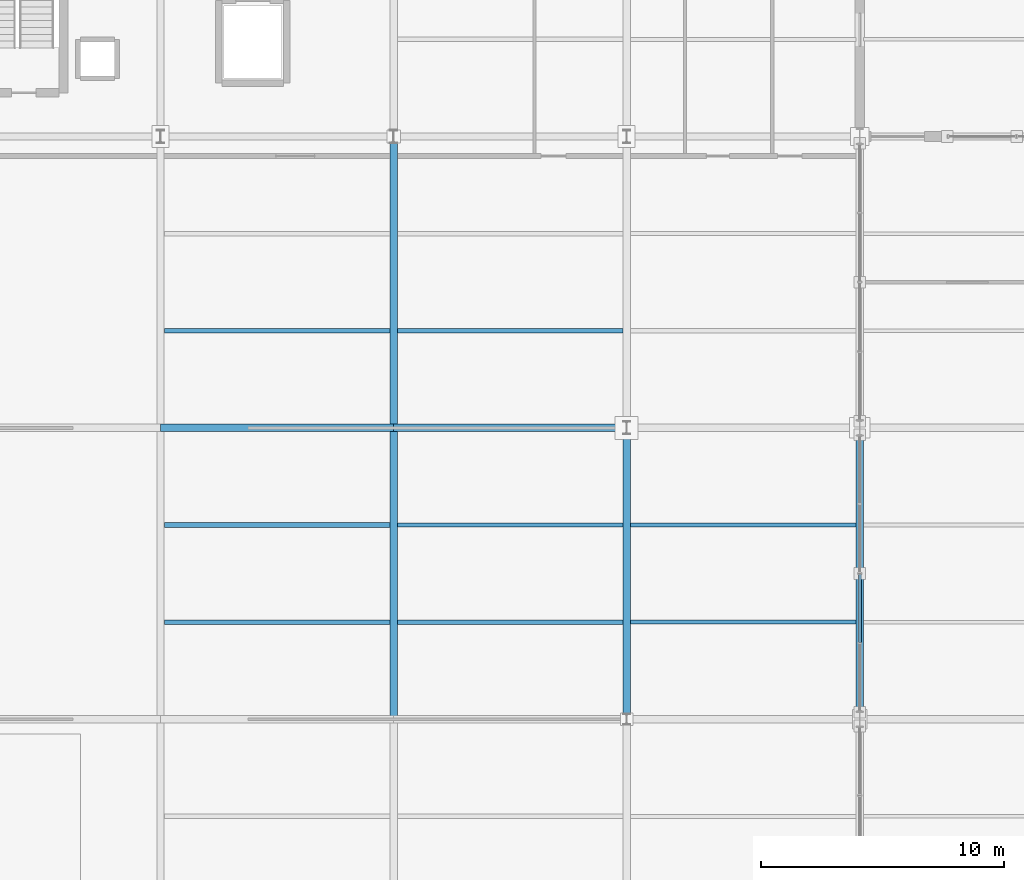
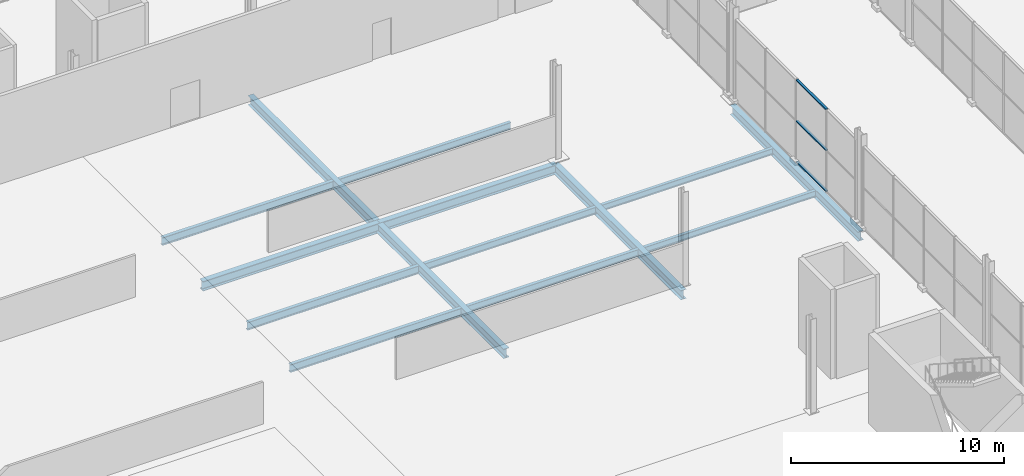
# One storey, part 96 of 196: 14 beams, 3 members, 1 element without a shape of its own.
"""IFC4 building model written with IfcOpenShell, lengths in metres."""

from ifc_helpers import new_model, si_unit, direction, frame, origin, origin_2d, place, context, subcontext, project, spatial, hollow_rectangle, i_section, extrude, material, material_profile, profile_set, type_object, element, aggregate, save


model = new_model("IFC4")

# Units and contexts
model_context = context("Model", 3, precision=1e-05, world=origin(), true_north=direction((0.0, 1.0)))
body_context = subcontext(model_context, "Body", "Model", "MODEL_VIEW")
ifc_project = project(units=[si_unit("LENGTHUNIT", "METRE"), si_unit("AREAUNIT", "SQUARE_METRE"), si_unit("VOLUMEUNIT", "CUBIC_METRE"), si_unit("PLANEANGLEUNIT", "RADIAN"), si_unit("MASSUNIT", "GRAM", prefix="KILO")], contexts=[model_context])

# Site, building, storey
site_placement = place(None, origin())
site = spatial("IfcSite", under=ifc_project, at=site_placement, CompositionType="ELEMENT")
building_placement = place(site_placement, origin())
building = spatial("IfcBuilding", under=site, at=building_placement, Name="Merenkruunu Market Hall", CompositionType="ELEMENT")
storey_placement = place(building_placement, origin())
storey = spatial("IfcBuildingStorey", under=building, at=storey_placement, Name="L00", CompositionType="ELEMENT", Elevation=0.0)

# Curtain wall, members
ifc_material_1 = material(Name="Powder-coated aluminium", Category="aluminium")
curtain_wall_type = type_object("IfcCurtainWallType", Name="Glazed Curtain Wall CW02", PredefinedType="USERDEFINED", material=ifc_material_1)
curtain_wall_placement = place(storey_placement, origin())
curtain_wall = element("IfcCurtainWall", 1, at=curtain_wall_placement, inside=storey, type_object=curtain_wall_type, Name="CW-L00-CWM01-133", ObjectType="GLAZED_FACADE", PredefinedType="USERDEFINED")
ifc_material_profile_1 = material_profile(ifc_material_1, hollow_rectangle(XDim=0.06005859375, YDim=0.125, WallThickness=0.00390625, at=origin_2d()), Name="ALU 60x125x4")
ifc_profile_set_1 = profile_set([ifc_material_profile_1], Name="Powder-coated aluminium")
member_type = type_object("IfcMemberType", Name="Curtain Wall Transom CWT01", PredefinedType="USERDEFINED", material=ifc_profile_set_1)
member_1_placement = place(storey_placement, frame((57.60009765625, 78.77001953125, 0.030029296875), z_axis=(0.0, 1.0, 0.0), x_axis=(0.0, 0.0, 1.0)))
member_1 = element("IfcMember", 2, at=member_1_placement, type_object=member_type, Name="CW02 transom 2.1", ObjectType="TRANSOM", PredefinedType="USERDEFINED", context=body_context, shape_type="SweptSolid", body=[
    extrude(hollow_rectangle(XDim=0.06005859375, YDim=0.125, WallThickness=0.00390625, at=origin_2d()), origin(), (0.0, 0.0, 1.0), 2.800048828125),
])
member_2_placement = place(storey_placement, frame((57.60009765625, 78.77001953125, 2.375), z_axis=(0.0, 1.0, 0.0), x_axis=(0.0, 0.0, 1.0)))
member_2 = element("IfcMember", 3, at=member_2_placement, type_object=member_type, Name="CW02 transom 2.2", ObjectType="TRANSOM", PredefinedType="USERDEFINED", context=body_context, shape_type="SweptSolid", body=[
    extrude(hollow_rectangle(XDim=0.06005859375, YDim=0.125, WallThickness=0.00390625, at=origin_2d()), origin(), (0.0, 0.0, 1.0), 2.800048828125),
])
member_3_placement = place(storey_placement, frame((57.60009765625, 78.77001953125, 4.719970703125), z_axis=(0.0, 1.0, 0.0), x_axis=(0.0, 0.0, 1.0)))
member_3 = element("IfcMember", 4, at=member_3_placement, type_object=member_type, Name="CW02 transom 2.3", ObjectType="TRANSOM", PredefinedType="USERDEFINED", context=body_context, shape_type="SweptSolid", body=[
    extrude(hollow_rectangle(XDim=0.06005859375, YDim=0.125, WallThickness=0.00390625, at=origin_2d()), origin(), (0.0, 0.0, 1.0), 2.800048828125),
])
aggregate(curtain_wall, [member_1, member_2, member_3])

# Beams
ifc_material_2 = material(Name="Steel S355J2", Category="steel")
ifc_material_profile_2 = material_profile(ifc_material_2, i_section(OverallWidth=0.300048828125, OverallDepth=0.550048828125, WebThickness=0.014892578125, FlangeThickness=0.029052734375, FilletRadius=0.027099609375, at=origin_2d()), Name="HEB 550")
ifc_profile_set_2 = profile_set([ifc_material_profile_2], Name="Steel S355J2")
beam_type_1 = type_object("IfcBeamType", Name="Primary Floor Girder B02", PredefinedType="BEAM", material=ifc_profile_set_2)
beam_1_placement = place(storey_placement, frame((28.800048828125, 87.60009765625, -0.614990234375), z_axis=(1.0, 0.0, 0.0), x_axis=(0.0, 1.0, 0.0)))
element("IfcBeam", 5, at=beam_1_placement, inside=storey, type_object=beam_type_1, Name="BM-L00-B02-0109", PredefinedType="BEAM", context=body_context, shape_type="SweptSolid", body=[
    extrude(i_section(OverallWidth=0.300048828125, OverallDepth=0.550048828125, WebThickness=0.014892578125, FlangeThickness=0.029052734375, FilletRadius=0.027099609375, at=origin_2d()), origin(), (0.0, 0.0, 1.0), 9.599853515625),
])
beam_2_placement = place(storey_placement, frame((38.39990234375, 87.60009765625, -0.614990234375), z_axis=(1.0, 0.0, 0.0), x_axis=(0.0, 1.0, 0.0)))
element("IfcBeam", 6, at=beam_2_placement, inside=storey, type_object=beam_type_1, Name="BM-L00-B02-0110", PredefinedType="BEAM", context=body_context, shape_type="SweptSolid", body=[
    extrude(i_section(OverallWidth=0.300048828125, OverallDepth=0.550048828125, WebThickness=0.014892578125, FlangeThickness=0.029052734375, FilletRadius=0.027099609375, at=origin_2d()), origin(), (0.0, 0.0, 1.0), 9.60009765625),
])
ifc_material_profile_3 = material_profile(ifc_material_2, i_section(OverallWidth=0.300048828125, OverallDepth=0.5400390625, WebThickness=0.012451171875, FlangeThickness=0.02392578125, FilletRadius=0.027099609375, at=origin_2d()), Name="HEA 550")
ifc_profile_set_3 = profile_set([ifc_material_profile_3], Name="Steel S355J2")
beam_type_2 = type_object("IfcBeamType", Name="Primary Floor Girder B06", PredefinedType="BEAM", material=ifc_profile_set_3)
for number, where, z_axis, x_axis, name in (
    (7, (38.39990234375, 75.60009765625, -0.610107421875), (0.0, 1.0, 0.0), (-1.0, 0.0, 0.0), "BM-L00-B06-0173"),
    (8, (38.39990234375, 87.60009765625, -0.610107421875), (0.0, 1.0, 0.0), (-1.0, 0.0, 0.0), "BM-L00-B06-0174"),
    (9, (48.0, 75.60009765625, -0.610107421875), (0.0, 1.0, 0.0), (-1.0, 0.0, 0.0), "BM-L00-B06-0182"),
    (10, (57.60009765625, 75.60009765625, -0.610107421875), (0.0, 1.0, 0.0), (-1.0, 0.0, 0.0), "BM-L00-B06-0191"),
):
    element("IfcBeam", number, at=place(storey_placement, frame(where, z_axis=z_axis, x_axis=x_axis)), inside=storey, type_object=beam_type_2, Name=name, PredefinedType="BEAM", context=body_context, shape_type="SweptSolid", body=[
        extrude(i_section(OverallWidth=0.300048828125, OverallDepth=0.5400390625, WebThickness=0.012451171875, FlangeThickness=0.02392578125, FilletRadius=0.027099609375, at=origin_2d()), origin(), (0.0, 0.0, 1.0), 12.0),
    ])
ifc_material_profile_4 = material_profile(ifc_material_2, i_section(OverallWidth=0.18994140625, OverallDepth=0.449951171875, WebThickness=0.009521484375, FlangeThickness=0.0146484375, FilletRadius=0.02099609375, at=origin_2d()), Name="IPE 450")
ifc_profile_set_4 = profile_set([ifc_material_profile_4], Name="Steel S355J2")
beam_type_3 = type_object("IfcBeamType", Name="Secondary Floor Joist J01", PredefinedType="JOIST", material=ifc_profile_set_4)
for number, where, z_axis, x_axis, name in (
    (11, (28.952880859375, 79.60009765625, -0.56494140625), (1.0, 0.0, 0.0), (0.0, 1.0, 0.0), "BM-L00-J01-0312"),
    (12, (28.952880859375, 83.60009765625, -0.56494140625), (1.0, 0.0, 0.0), (0.0, 1.0, 0.0), "BM-L00-J01-0313"),
    (13, (28.952880859375, 91.60009765625, -0.56494140625), (1.0, 0.0, 0.0), (0.0, 1.0, 0.0), "BM-L00-J01-0314"),
):
    element("IfcBeam", number, at=place(storey_placement, frame(where, z_axis=z_axis, x_axis=x_axis)), inside=storey, type_object=beam_type_3, Name=name, PredefinedType="JOIST", context=body_context, shape_type="SweptSolid", body=[
        extrude(i_section(OverallWidth=0.18994140625, OverallDepth=0.449951171875, WebThickness=0.009521484375, FlangeThickness=0.0146484375, FilletRadius=0.02099609375, at=origin_2d()), origin(), (0.0, 0.0, 1.0), 9.294189453125),
    ])
ifc_material_profile_5 = material_profile(ifc_material_2, i_section(OverallWidth=0.179931640625, OverallDepth=0.39990234375, WebThickness=0.008544921875, FlangeThickness=0.013427734375, FilletRadius=0.02099609375, at=origin_2d()), Name="IPE 400")
ifc_profile_set_5 = profile_set([ifc_material_profile_5], Name="Steel S355J2")
beam_type_4 = type_object("IfcBeamType", Name="Secondary Floor Joist J02", PredefinedType="JOIST", material=ifc_profile_set_5)
for number, where, z_axis, x_axis, name in (
    (14, (38.552978515625, 79.60009765625, -0.5400390625), (1.0, 0.0, 0.0), (0.0, 1.0, 0.0), "BM-L00-J02-0327"),
    (15, (38.552978515625, 83.60009765625, -0.5400390625), (1.0, 0.0, 0.0), (0.0, 1.0, 0.0), "BM-L00-J02-0328"),
    (16, (38.552978515625, 91.60009765625, -0.5400390625), (1.0, 0.0, 0.0), (0.0, 1.0, 0.0), "BM-L00-J02-0329"),
):
    element("IfcBeam", number, at=place(storey_placement, frame(where, z_axis=z_axis, x_axis=x_axis)), inside=storey, type_object=beam_type_4, Name=name, PredefinedType="JOIST", context=body_context, shape_type="SweptSolid", body=[
        extrude(i_section(OverallWidth=0.179931640625, OverallDepth=0.39990234375, WebThickness=0.008544921875, FlangeThickness=0.013427734375, FilletRadius=0.02099609375, at=origin_2d()), origin(), (0.0, 0.0, 1.0), 9.2939453125),
    ])
ifc_material_profile_6 = material_profile(ifc_material_2, i_section(OverallWidth=0.169921875, OverallDepth=0.360107421875, WebThickness=0.008056640625, FlangeThickness=0.0126953125, FilletRadius=0.01806640625, at=origin_2d()), Name="IPE 360")
ifc_profile_set_6 = profile_set([ifc_material_profile_6], Name="Steel S355J2")
beam_type_5 = type_object("IfcBeamType", Name="Secondary Floor Joist J03", PredefinedType="JOIST", material=ifc_profile_set_6)
for number, where, z_axis, x_axis, name in (
    (17, (48.153076171875, 79.60009765625, -0.52001953125), (1.0, 0.0, 0.0), (0.0, 1.0, 0.0), "BM-L00-J03-0340"),
    (18, (48.153076171875, 83.60009765625, -0.52001953125), (1.0, 0.0, 0.0), (0.0, 1.0, 0.0), "BM-L00-J03-0341"),
):
    element("IfcBeam", number, at=place(storey_placement, frame(where, z_axis=z_axis, x_axis=x_axis)), inside=storey, type_object=beam_type_5, Name=name, PredefinedType="JOIST", context=body_context, shape_type="SweptSolid", body=[
        extrude(i_section(OverallWidth=0.169921875, OverallDepth=0.360107421875, WebThickness=0.008056640625, FlangeThickness=0.0126953125, FilletRadius=0.01806640625, at=origin_2d()), origin(), (0.0, 0.0, 1.0), 9.2939453125),
    ])

save(model, "model.ifc")
